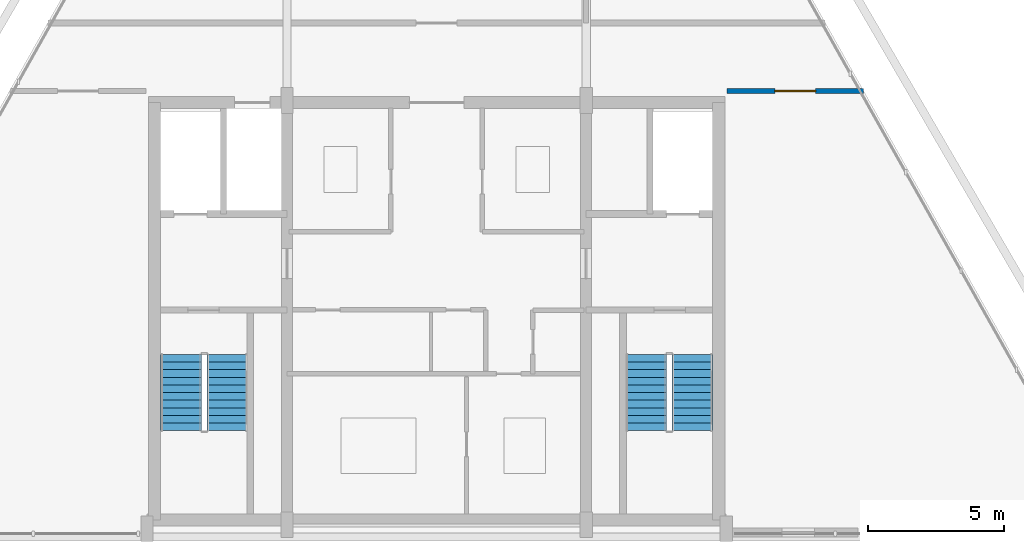
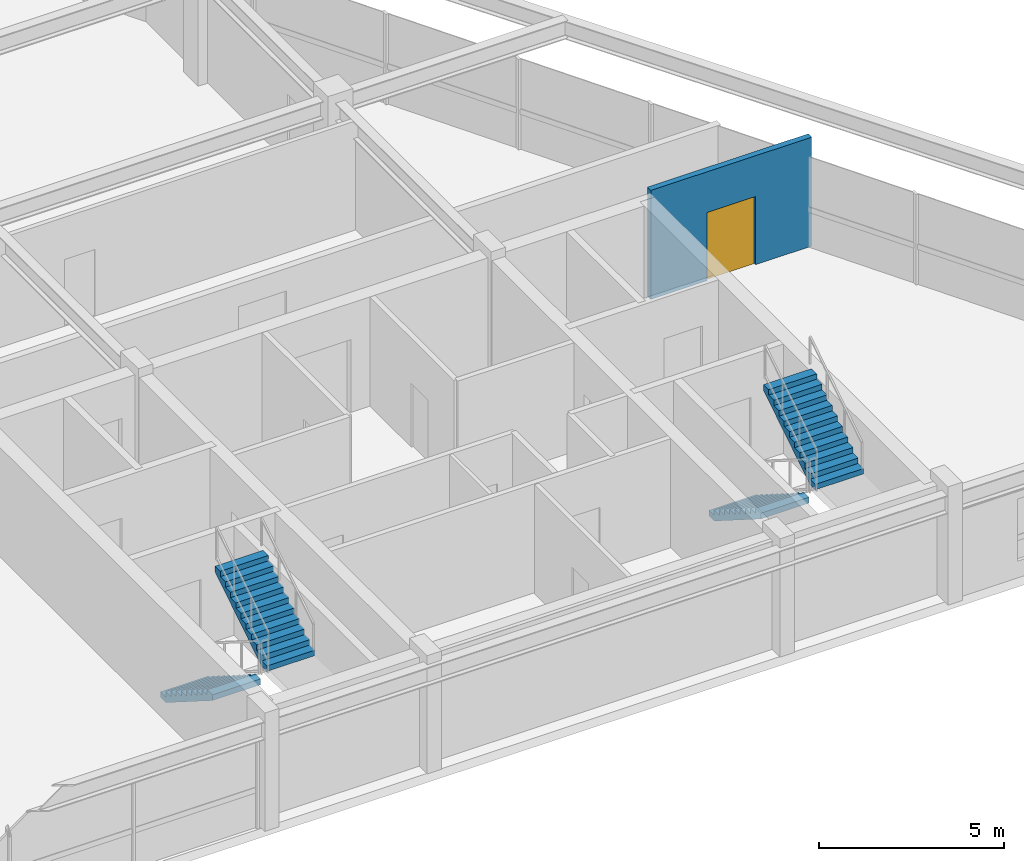
# One storey, part 11 of 12: 4 stair flights, 1 door, 1 wall, 1 opening, 2 elements without a shape of their own.
"""IFC4 building model written with IfcOpenShell, lengths in metres."""

from ifc_helpers import new_model, si_unit, direction, frame, frame_2d, origin, place, context, subcontext, project, spatial, polyline, rectangle, outline, extrude, source, transform, mapped, material, layer, layer_set, type_object, type_shapes, element, fill, aggregate, save


model = new_model("IFC4")

# Units and contexts
model_context = context("Model", 3, precision=1e-05, world=origin(), true_north=direction((0.0, 1.0)))
body_context = subcontext(model_context, "Body", "Model", "MODEL_VIEW")
ifc_project = project(units=[si_unit("LENGTHUNIT", "METRE"), si_unit("AREAUNIT", "SQUARE_METRE"), si_unit("VOLUMEUNIT", "CUBIC_METRE"), si_unit("PLANEANGLEUNIT", "RADIAN"), si_unit("MASSUNIT", "GRAM", prefix="KILO")], contexts=[model_context])

# Site, building, storey
site_placement = place(None, origin())
site = spatial("IfcSite", under=ifc_project, at=site_placement, CompositionType="ELEMENT")
building_placement = place(site_placement, origin())
building = spatial("IfcBuilding", under=site, at=building_placement, Name="Varnakhor Terracotta Tower", CompositionType="ELEMENT")
storey_placement = place(building_placement, frame((0.0, 0.0, 325.300048828125)))
storey = spatial("IfcBuildingStorey", under=building, at=storey_placement, Name="L85 Crown", CompositionType="ELEMENT", Elevation=325.300048828125)

# Wall, opening, door
ifc_material_1 = material(Name="Fire-Rated Gypsum Stud Partition", Category="gypsum")
ifc_layer = layer(ifc_material_1, 0.18505859375, Name="Fire-Rated Gypsum Stud Partition")
ifc_layer_set = layer_set([ifc_layer], Name="Fire-Rated Gypsum Stud Partition")
wall_type = type_object("IfcWallType", Name="WAL-CORR-185", PredefinedType="PARTITIONING", material=ifc_layer_set)
wall_placement = place(storey_placement, frame((10.679931640625, 16.39990234375, 0.0), z_axis=(0.0, 0.0, 1.0), x_axis=(1.0, 0.0, 0.0)))
wall = element("IfcWall", 1, at=wall_placement, inside=storey, type_object=wall_type, Name="L85 Crown East Plant Wall", PredefinedType="PARTITIONING", context=body_context, shape_type="SweptSolid", body=[
    extrude(rectangle(XDim=5.01513671875, YDim=0.18505859375, at=frame_2d((2.507568359375, 0.0))), origin(), (0.0, 0.0, 1.0), 3.592041015625),
])
opening_placement = place(wall_placement, frame((1.757568359375, 0.0, 0.0)))
opening = element("IfcOpeningElement", 2, at=opening_placement, cuts=wall, Name="Opening DR-30", PredefinedType="OPENING", context=body_context, shape_type="SweptSolid", body=[
    extrude(rectangle(XDim=1.5, YDim=2.25, at=frame_2d((0.75, 1.125))), frame((0.0, 0.1025390625, 0.0), z_axis=(0.0, -1.0, 0.0), x_axis=(1.0, 0.0, 0.0)), (0.0, 0.0, 1.0), 0.205078125),
])
ifc_material_2 = material(Name="Double Acoustic Conference Room Door", Category="wood")
door_type = type_object("IfcDoorType", Name="DR-MEET-1500X2250", OperationType="NOTDEFINED", PredefinedType="DOOR", material=ifc_material_2)
shared_shape = source(origin(), body_context, "Body", "SweptSolid", [
    extrude(rectangle(XDim=1.5, YDim=2.25, at=frame_2d((0.75, 1.125))), frame((0.0, 0.02490234375, 0.0), z_axis=(0.0, -1.0, 0.0), x_axis=(1.0, 0.0, 0.0)), (0.0, 0.0, 1.0), 0.050048828125),
])
type_shapes(door_type, [shared_shape])
door_placement = place(opening_placement, origin())
door = element("IfcDoor", 3, at=door_placement, inside=storey, type_object=door_type, Name="L85 Crown East Electrical Room Door", OperationType="DOUBLE_DOOR_SINGLE_SWING", OverallHeight=2.25, OverallWidth=1.5, PredefinedType="DOOR", context=body_context, shape_type="MappedRepresentation", body=[
    mapped(shared_shape, transform((0.0, 0.0, 0.0), scale=1.0)),
])
fill(opening, door)

# Stair, stair flights
ifc_material_3 = material(Name="Concrete C40/50", Category="concrete")
stair_type = type_object("IfcStairType", Name="STR-CORE-HOTEL-1500", PredefinedType="HALF_TURN_STAIR", material=ifc_material_3)
stair_1_placement = place(storey_placement, origin())
stair_1 = element("IfcStair", 4, at=stair_1_placement, inside=storey, type_object=stair_type, Name="L85 Crown Core Exit Stair ST-1", PredefinedType="HALF_TURN_STAIR")
stair_flight_type = type_object("IfcStairFlightType", Name="FLT-HOTEL-1500", PredefinedType="STRAIGHT", material=ifc_material_3)
stair_flight_1_placement = place(storey_placement, frame((-9.39990234375, 6.7099609375, 0.0), z_axis=(0.0, 0.0, 1.0), x_axis=(0.0, -1.0, 0.0)))
stair_flight_1 = element("IfcStairFlight", 5, at=stair_flight_1_placement, type_object=stair_flight_type, Name="ST-1 flight 1", NumberOfRisers=11, NumberOfTreads=10, PredefinedType="STRAIGHT", RiserHeight=0.177272727, TreadLength=0.28, context=body_context, shape_type="SweptSolid", body=[
    extrude(outline(polyline([(0.0, 0.0), (0.0, 0.17724609375), (0.280029296875, 0.17724609375), (0.280029296875, 0.3544921875), (0.56005859375, 0.3544921875), (0.56005859375, 0.53173828125), (0.840087890625, 0.53173828125), (0.840087890625, 0.708984375), (1.1201171875, 0.708984375), (1.1201171875, 0.886474609375), (1.39990234375, 0.886474609375), (1.39990234375, 1.063720703125), (1.679931640625, 1.063720703125), (1.679931640625, 1.240966796875), (1.9599609375, 1.240966796875), (1.9599609375, 1.418212890625), (2.239990234375, 1.418212890625), (2.239990234375, 1.595458984375), (2.52001953125, 1.595458984375), (2.52001953125, 1.772705078125), (2.800048828125, 1.772705078125), (2.800048828125, 1.949951171875), (2.800048828125, 1.58349609375), (0.298828125, 0.0), (0.0, 0.0)])), frame((0.0, 0.75, 0.0), z_axis=(0.0, -1.0, 0.0), x_axis=(1.0, 0.0, 0.0)), (0.0, 0.0, 1.0), 1.5),
])
stair_flight_2_placement = place(storey_placement, frame((-7.699951171875, 3.909912109375, 1.949951171875), z_axis=(0.0, 0.0, 1.0), x_axis=(0.0, 1.0, 0.0)))
stair_flight_2 = element("IfcStairFlight", 6, at=stair_flight_2_placement, type_object=stair_flight_type, Name="ST-1 flight 2", NumberOfRisers=11, NumberOfTreads=10, PredefinedType="STRAIGHT", RiserHeight=0.177272727, TreadLength=0.28, context=body_context, shape_type="SweptSolid", body=[
    extrude(outline(polyline([(0.0, 0.0), (0.0, 0.17724609375), (0.280029296875, 0.17724609375), (0.280029296875, 0.3544921875), (0.56005859375, 0.3544921875), (0.56005859375, 0.53173828125), (0.840087890625, 0.53173828125), (0.840087890625, 0.708984375), (1.1201171875, 0.708984375), (1.1201171875, 0.886474609375), (1.39990234375, 0.886474609375), (1.39990234375, 1.063720703125), (1.679931640625, 1.063720703125), (1.679931640625, 1.240966796875), (1.9599609375, 1.240966796875), (1.9599609375, 1.418212890625), (2.239990234375, 1.418212890625), (2.239990234375, 1.595458984375), (2.52001953125, 1.595458984375), (2.52001953125, 1.772705078125), (2.800048828125, 1.772705078125), (2.800048828125, 1.949951171875), (2.800048828125, 1.58349609375), (0.298828125, 0.0), (0.0, 0.0)])), frame((0.0, 0.75, 0.0), z_axis=(0.0, -1.0, 0.0), x_axis=(1.0, 0.0, 0.0)), (0.0, 0.0, 1.0), 1.5),
])
aggregate(stair_1, [stair_flight_1, stair_flight_2])

stair_2_placement = place(storey_placement, origin())
stair_2 = element("IfcStair", 7, at=stair_2_placement, inside=storey, type_object=stair_type, Name="L85 Crown Core Exit Stair ST-2", PredefinedType="HALF_TURN_STAIR")
stair_flight_3_placement = place(storey_placement, frame((7.699951171875, 6.7099609375, 0.0), z_axis=(0.0, 0.0, 1.0), x_axis=(0.0, -1.0, 0.0)))
stair_flight_3 = element("IfcStairFlight", 8, at=stair_flight_3_placement, type_object=stair_flight_type, Name="ST-2 flight 1", NumberOfRisers=11, NumberOfTreads=10, PredefinedType="STRAIGHT", RiserHeight=0.177272727, TreadLength=0.28, context=body_context, shape_type="SweptSolid", body=[
    extrude(outline(polyline([(0.0, 0.0), (0.0, 0.17724609375), (0.280029296875, 0.17724609375), (0.280029296875, 0.3544921875), (0.56005859375, 0.3544921875), (0.56005859375, 0.53173828125), (0.840087890625, 0.53173828125), (0.840087890625, 0.708984375), (1.1201171875, 0.708984375), (1.1201171875, 0.886474609375), (1.39990234375, 0.886474609375), (1.39990234375, 1.063720703125), (1.679931640625, 1.063720703125), (1.679931640625, 1.240966796875), (1.9599609375, 1.240966796875), (1.9599609375, 1.418212890625), (2.239990234375, 1.418212890625), (2.239990234375, 1.595458984375), (2.52001953125, 1.595458984375), (2.52001953125, 1.772705078125), (2.800048828125, 1.772705078125), (2.800048828125, 1.949951171875), (2.800048828125, 1.58349609375), (0.298828125, 0.0), (0.0, 0.0)])), frame((0.0, 0.75, 0.0), z_axis=(0.0, -1.0, 0.0), x_axis=(1.0, 0.0, 0.0)), (0.0, 0.0, 1.0), 1.5),
])
stair_flight_4_placement = place(storey_placement, frame((9.39990234375, 3.909912109375, 1.949951171875), z_axis=(0.0, 0.0, 1.0), x_axis=(0.0, 1.0, 0.0)))
stair_flight_4 = element("IfcStairFlight", 9, at=stair_flight_4_placement, type_object=stair_flight_type, Name="ST-2 flight 2", NumberOfRisers=11, NumberOfTreads=10, PredefinedType="STRAIGHT", RiserHeight=0.177272727, TreadLength=0.28, context=body_context, shape_type="SweptSolid", body=[
    extrude(outline(polyline([(0.0, 0.0), (0.0, 0.17724609375), (0.280029296875, 0.17724609375), (0.280029296875, 0.3544921875), (0.56005859375, 0.3544921875), (0.56005859375, 0.53173828125), (0.840087890625, 0.53173828125), (0.840087890625, 0.708984375), (1.1201171875, 0.708984375), (1.1201171875, 0.886474609375), (1.39990234375, 0.886474609375), (1.39990234375, 1.063720703125), (1.679931640625, 1.063720703125), (1.679931640625, 1.240966796875), (1.9599609375, 1.240966796875), (1.9599609375, 1.418212890625), (2.239990234375, 1.418212890625), (2.239990234375, 1.595458984375), (2.52001953125, 1.595458984375), (2.52001953125, 1.772705078125), (2.800048828125, 1.772705078125), (2.800048828125, 1.949951171875), (2.800048828125, 1.58349609375), (0.298828125, 0.0), (0.0, 0.0)])), frame((0.0, 0.75, 0.0), z_axis=(0.0, -1.0, 0.0), x_axis=(1.0, 0.0, 0.0)), (0.0, 0.0, 1.0), 1.5),
])
aggregate(stair_2, [stair_flight_3, stair_flight_4])

save(model, "model.ifc")
